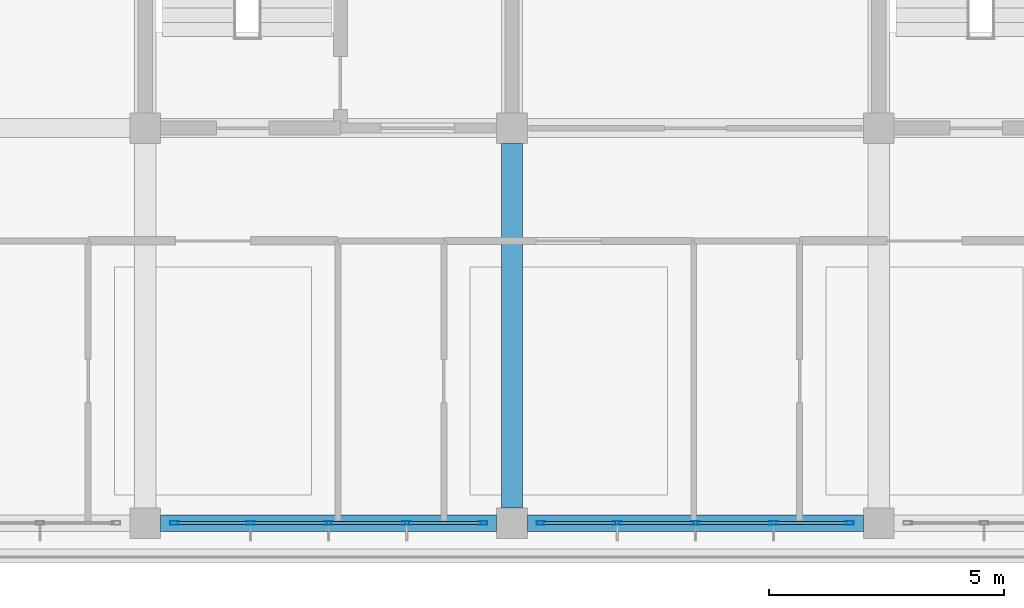
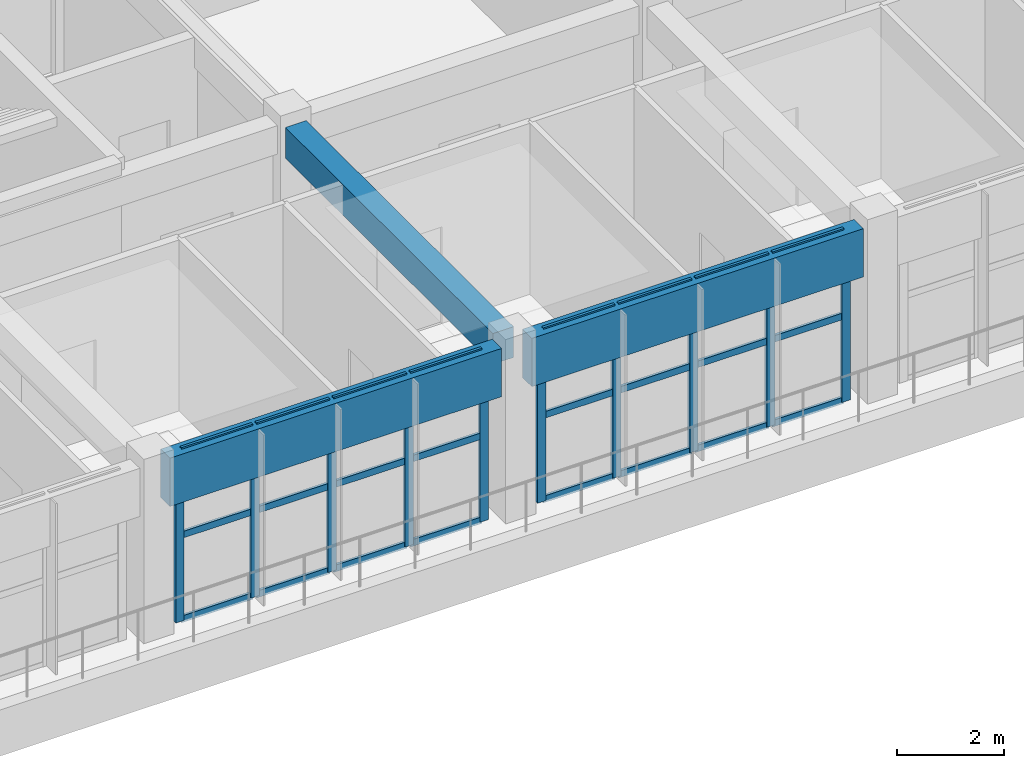
# One storey, part 12 of 63: 34 members, 3 beams, 2 elements without a shape of their own.
"""IFC4 building model written with IfcOpenShell, lengths in metres."""

from ifc_helpers import new_model, si_unit, direction, frame, origin, origin_2d, place, context, subcontext, project, spatial, rectangle, hollow_rectangle, extrude, material, layer, layer_set, material_profile, profile_set, type_object, element, aggregate, save


model = new_model("IFC4")

# Units and contexts
model_context = context("Model", 3, precision=1e-05, world=origin(), true_north=direction((0.0, 1.0)))
body_context = subcontext(model_context, "Body", "Model", "MODEL_VIEW")
ifc_project = project(units=[si_unit("LENGTHUNIT", "METRE"), si_unit("AREAUNIT", "SQUARE_METRE"), si_unit("VOLUMEUNIT", "CUBIC_METRE"), si_unit("PLANEANGLEUNIT", "RADIAN"), si_unit("MASSUNIT", "GRAM", prefix="KILO")], contexts=[model_context])

# Site, building, storey
site_placement = place(None, origin())
site = spatial("IfcSite", under=ifc_project, at=site_placement, CompositionType="ELEMENT")
building_placement = place(site_placement, origin())
building = spatial("IfcBuilding", under=site, at=building_placement, Name="Zizhar Promenade General Hospital", CompositionType="ELEMENT")
storey_placement = place(building_placement, frame((0.0, 0.0, 18.0)))
storey = spatial("IfcBuildingStorey", under=building, at=storey_placement, Name="L04", CompositionType="ELEMENT", Elevation=18.0)

# Beams
ifc_material_1 = material(Name="Precast concrete C40/50", Category="concrete")
ifc_material_profile_1 = material_profile(ifc_material_1, rectangle(XDim=0.35009765625, YDim=1.10009765625, at=origin_2d()))
ifc_profile_set_1 = profile_set([ifc_material_profile_1], Name="Precast concrete C40/50")
beam_type_1 = type_object("IfcBeamType", Name="BM-PC-BAND1100", PredefinedType="SPANDREL", material=ifc_profile_set_1)
for number, where, z_axis, x_axis, name in (
    (1, (47.125, 0.0, 3.360107421875), (1.0, 0.0, 0.0), (0.0, 1.0, 0.0), "Grid Beam X L04 (6-0)"),
    (2, (54.925048828125, 0.0, 3.360107421875), (1.0, 0.0, 0.0), (0.0, 1.0, 0.0), "Grid Beam X L04 (7-0)"),
):
    element("IfcBeam", number, at=place(storey_placement, frame(where, z_axis=z_axis, x_axis=x_axis)), inside=storey, type_object=beam_type_1, Name=name, PredefinedType="SPANDREL", context=body_context, shape_type="SweptSolid", body=[
        extrude(rectangle(XDim=0.35009765625, YDim=1.10009765625, at=origin_2d()), origin(), (0.0, 0.0, 1.0), 7.14990234375),
    ])
ifc_material_2 = material(Name="Concrete C35/45", Category="concrete")
ifc_material_profile_2 = material_profile(ifc_material_2, rectangle(XDim=0.449951171875, YDim=0.699951171875, at=origin_2d()))
ifc_profile_set_2 = profile_set([ifc_material_profile_2], Name="Concrete C35/45")
beam_type_2 = type_object("IfcBeamType", Name="BM-RC-450x700", PredefinedType="BEAM", material=ifc_profile_set_2)
beam_placement = place(storey_placement, frame((54.60009765625, 0.324951171875, 3.56005859375), z_axis=(0.0, 1.0, 0.0), x_axis=(-1.0, 0.0, 0.0)))
element("IfcBeam", 3, at=beam_placement, inside=storey, type_object=beam_type_2, Name="Grid Beam Y L04 (7-0)", PredefinedType="BEAM", context=body_context, shape_type="SweptSolid", body=[
    extrude(rectangle(XDim=0.449951171875, YDim=0.699951171875, at=origin_2d()), origin(), (0.0, 0.0, 1.0), 7.75),
])

# Curtain wall, members
ifc_material_3 = material(Name="Anodised aluminium 6063-T6 and low-E glass", Category="aluminium")
ifc_layer = layer(ifc_material_3, 0.159912109375)
ifc_layer_set = layer_set([ifc_layer], Name="Anodised aluminium 6063-T6 and low-E glass")
curtain_wall_type = type_object("IfcCurtainWallType", Name="CW-WARD-RIB", PredefinedType="NOTDEFINED", material=ifc_layer_set)
curtain_wall_1_placement = place(storey_placement, origin())
curtain_wall_1 = element("IfcCurtainWall", 4, at=curtain_wall_1_placement, inside=storey, type_object=curtain_wall_type, Name="Ward Ribbon Curtain Wall L04-17-7", PredefinedType="NOTDEFINED")
ifc_material_4 = material(Name="Anodised aluminium 6063-T6", Category="aluminium")
ifc_material_profile_3 = material_profile(ifc_material_4, hollow_rectangle(XDim=0.080078125, YDim=0.179931640625, WallThickness=0.0048828125, at=origin_2d()))
ifc_profile_set_3 = profile_set([ifc_material_profile_3], Name="Anodised aluminium 6063-T6")
member_type_1 = type_object("IfcMemberType", Name="CWM-ALU-180x80", PredefinedType="MULLION", material=ifc_profile_set_3)
member_1_placement = place(storey_placement, frame((61.780029296875, 0.0, 0.0), z_axis=(0.0, 0.0, 1.0), x_axis=(0.0, -1.0, 0.0)))
member_1 = element("IfcMember", 5, at=member_1_placement, type_object=member_type_1, Name="CW-13 mullion 1", PredefinedType="MULLION", context=body_context, shape_type="SweptSolid", body=[
    extrude(hollow_rectangle(XDim=0.080078125, YDim=0.179931640625, WallThickness=0.0048828125, at=origin_2d()), origin(), (0.0, 0.0, 1.0), 3.89990234375),
])
member_2_placement = place(storey_placement, frame((60.159912109375, 0.0, 0.0), z_axis=(0.0, 0.0, 1.0), x_axis=(0.0, -1.0, 0.0)))
member_2 = element("IfcMember", 6, at=member_2_placement, type_object=member_type_1, Name="CW-13 mullion 2", PredefinedType="MULLION", context=body_context, shape_type="SweptSolid", body=[
    extrude(hollow_rectangle(XDim=0.080078125, YDim=0.179931640625, WallThickness=0.0048828125, at=origin_2d()), origin(), (0.0, 0.0, 1.0), 3.89990234375),
])
member_3_placement = place(storey_placement, frame((58.5, 0.0, 0.0), z_axis=(0.0, 0.0, 1.0), x_axis=(0.0, -1.0, 0.0)))
member_3 = element("IfcMember", 7, at=member_3_placement, type_object=member_type_1, Name="CW-13 mullion 3", PredefinedType="MULLION", context=body_context, shape_type="SweptSolid", body=[
    extrude(hollow_rectangle(XDim=0.080078125, YDim=0.179931640625, WallThickness=0.0048828125, at=origin_2d()), origin(), (0.0, 0.0, 1.0), 3.89990234375),
])
member_4_placement = place(storey_placement, frame((56.840087890625, 0.0, 0.0), z_axis=(0.0, 0.0, 1.0), x_axis=(0.0, -1.0, 0.0)))
member_4 = element("IfcMember", 8, at=member_4_placement, type_object=member_type_1, Name="CW-13 mullion 4", PredefinedType="MULLION", context=body_context, shape_type="SweptSolid", body=[
    extrude(hollow_rectangle(XDim=0.080078125, YDim=0.179931640625, WallThickness=0.0048828125, at=origin_2d()), origin(), (0.0, 0.0, 1.0), 3.89990234375),
])
member_5_placement = place(storey_placement, frame((55.219970703125, 0.0, 0.0), z_axis=(0.0, 0.0, 1.0), x_axis=(0.0, -1.0, 0.0)))
member_5 = element("IfcMember", 9, at=member_5_placement, type_object=member_type_1, Name="CW-13 mullion 5", PredefinedType="MULLION", context=body_context, shape_type="SweptSolid", body=[
    extrude(hollow_rectangle(XDim=0.080078125, YDim=0.179931640625, WallThickness=0.0048828125, at=origin_2d()), origin(), (0.0, 0.0, 1.0), 3.89990234375),
])

curtain_wall_2_placement = place(storey_placement, origin())
curtain_wall_2 = element("IfcCurtainWall", 10, at=curtain_wall_2_placement, inside=storey, type_object=curtain_wall_type, Name="Ward Ribbon Curtain Wall L04-17-8", PredefinedType="NOTDEFINED")
member_6_placement = place(storey_placement, frame((53.97998046875, 0.0, 0.0), z_axis=(0.0, 0.0, 1.0), x_axis=(0.0, -1.0, 0.0)))
member_6 = element("IfcMember", 11, at=member_6_placement, type_object=member_type_1, Name="CW-13 mullion 1", PredefinedType="MULLION", context=body_context, shape_type="SweptSolid", body=[
    extrude(hollow_rectangle(XDim=0.080078125, YDim=0.179931640625, WallThickness=0.0048828125, at=origin_2d()), origin(), (0.0, 0.0, 1.0), 3.89990234375),
])
member_7_placement = place(storey_placement, frame((52.360107421875, 0.0, 0.0), z_axis=(0.0, 0.0, 1.0), x_axis=(0.0, -1.0, 0.0)))
member_7 = element("IfcMember", 12, at=member_7_placement, type_object=member_type_1, Name="CW-13 mullion 2", PredefinedType="MULLION", context=body_context, shape_type="SweptSolid", body=[
    extrude(hollow_rectangle(XDim=0.080078125, YDim=0.179931640625, WallThickness=0.0048828125, at=origin_2d()), origin(), (0.0, 0.0, 1.0), 3.89990234375),
])
member_8_placement = place(storey_placement, frame((50.699951171875, 0.0, 0.0), z_axis=(0.0, 0.0, 1.0), x_axis=(0.0, -1.0, 0.0)))
member_8 = element("IfcMember", 13, at=member_8_placement, type_object=member_type_1, Name="CW-13 mullion 3", PredefinedType="MULLION", context=body_context, shape_type="SweptSolid", body=[
    extrude(hollow_rectangle(XDim=0.080078125, YDim=0.179931640625, WallThickness=0.0048828125, at=origin_2d()), origin(), (0.0, 0.0, 1.0), 3.89990234375),
])
member_9_placement = place(storey_placement, frame((49.0400390625, 0.0, 0.0), z_axis=(0.0, 0.0, 1.0), x_axis=(0.0, -1.0, 0.0)))
member_9 = element("IfcMember", 14, at=member_9_placement, type_object=member_type_1, Name="CW-13 mullion 4", PredefinedType="MULLION", context=body_context, shape_type="SweptSolid", body=[
    extrude(hollow_rectangle(XDim=0.080078125, YDim=0.179931640625, WallThickness=0.0048828125, at=origin_2d()), origin(), (0.0, 0.0, 1.0), 3.89990234375),
])
member_10_placement = place(storey_placement, frame((47.419921875, 0.0, 0.0), z_axis=(0.0, 0.0, 1.0), x_axis=(0.0, -1.0, 0.0)))
member_10 = element("IfcMember", 15, at=member_10_placement, type_object=member_type_1, Name="CW-13 mullion 5", PredefinedType="MULLION", context=body_context, shape_type="SweptSolid", body=[
    extrude(hollow_rectangle(XDim=0.080078125, YDim=0.179931640625, WallThickness=0.0048828125, at=origin_2d()), origin(), (0.0, 0.0, 1.0), 3.89990234375),
])

# Member
ifc_material_5 = material(Name="Anodised aluminium 6063-T6", Category="aluminium")
ifc_material_profile_4 = material_profile(ifc_material_5, hollow_rectangle(XDim=0.06005859375, YDim=0.14990234375, WallThickness=0.00390625, at=origin_2d()))
ifc_profile_set_4 = profile_set([ifc_material_profile_4], Name="Anodised aluminium 6063-T6")
member_type_2 = type_object("IfcMemberType", Name="CWT-ALU-150x60", PredefinedType="USERDEFINED", material=ifc_profile_set_4)
member_11_placement = place(storey_placement, frame((61.739990234375, 0.0, 0.030029296875), z_axis=(-1.0, 0.0, 0.0), x_axis=(0.0, -1.0, 0.0)))
member_11 = element("IfcMember", 16, at=member_11_placement, type_object=member_type_2, Name="CW-13 transom 1.1", ObjectType="TRANSOM", PredefinedType="USERDEFINED", context=body_context, shape_type="SweptSolid", body=[
    extrude(hollow_rectangle(XDim=0.06005859375, YDim=0.14990234375, WallThickness=0.00390625, at=origin_2d()), origin(), (0.0, 0.0, 1.0), 1.5400390625),
])

member_12_placement = place(storey_placement, frame((61.739990234375, 0.0, 1.949951171875), z_axis=(-1.0, 0.0, 0.0), x_axis=(0.0, -1.0, 0.0)))
member_12 = element("IfcMember", 17, at=member_12_placement, type_object=member_type_2, Name="CW-13 transom 1.2", ObjectType="TRANSOM", PredefinedType="USERDEFINED", context=body_context, shape_type="SweptSolid", body=[
    extrude(hollow_rectangle(XDim=0.06005859375, YDim=0.14990234375, WallThickness=0.00390625, at=origin_2d()), origin(), (0.0, 0.0, 1.0), 1.5400390625),
])

member_13_placement = place(storey_placement, frame((61.739990234375, 0.0, 3.8701171875), z_axis=(-1.0, 0.0, 0.0), x_axis=(0.0, -1.0, 0.0)))
member_13 = element("IfcMember", 18, at=member_13_placement, type_object=member_type_2, Name="CW-13 transom 1.3", ObjectType="TRANSOM", PredefinedType="USERDEFINED", context=body_context, shape_type="SweptSolid", body=[
    extrude(hollow_rectangle(XDim=0.06005859375, YDim=0.14990234375, WallThickness=0.00390625, at=origin_2d()), origin(), (0.0, 0.0, 1.0), 1.5400390625),
])

member_14_placement = place(storey_placement, frame((60.1201171875, 0.0, 0.030029296875), z_axis=(-1.0, 0.0, 0.0), x_axis=(0.0, -1.0, 0.0)))
member_14 = element("IfcMember", 19, at=member_14_placement, type_object=member_type_2, Name="CW-13 transom 2.1", ObjectType="TRANSOM", PredefinedType="USERDEFINED", context=body_context, shape_type="SweptSolid", body=[
    extrude(hollow_rectangle(XDim=0.06005859375, YDim=0.14990234375, WallThickness=0.00390625, at=origin_2d()), origin(), (0.0, 0.0, 1.0), 1.580078125),
])

member_15_placement = place(storey_placement, frame((60.1201171875, 0.0, 1.949951171875), z_axis=(-1.0, 0.0, 0.0), x_axis=(0.0, -1.0, 0.0)))
member_15 = element("IfcMember", 20, at=member_15_placement, type_object=member_type_2, Name="CW-13 transom 2.2", ObjectType="TRANSOM", PredefinedType="USERDEFINED", context=body_context, shape_type="SweptSolid", body=[
    extrude(hollow_rectangle(XDim=0.06005859375, YDim=0.14990234375, WallThickness=0.00390625, at=origin_2d()), origin(), (0.0, 0.0, 1.0), 1.580078125),
])

member_16_placement = place(storey_placement, frame((60.1201171875, 0.0, 3.8701171875), z_axis=(-1.0, 0.0, 0.0), x_axis=(0.0, -1.0, 0.0)))
member_16 = element("IfcMember", 21, at=member_16_placement, type_object=member_type_2, Name="CW-13 transom 2.3", ObjectType="TRANSOM", PredefinedType="USERDEFINED", context=body_context, shape_type="SweptSolid", body=[
    extrude(hollow_rectangle(XDim=0.06005859375, YDim=0.14990234375, WallThickness=0.00390625, at=origin_2d()), origin(), (0.0, 0.0, 1.0), 1.580078125),
])

member_17_placement = place(storey_placement, frame((58.4599609375, 0.0, 0.030029296875), z_axis=(-1.0, 0.0, 0.0), x_axis=(0.0, -1.0, 0.0)))
member_17 = element("IfcMember", 22, at=member_17_placement, type_object=member_type_2, Name="CW-13 transom 3.1", ObjectType="TRANSOM", PredefinedType="USERDEFINED", context=body_context, shape_type="SweptSolid", body=[
    extrude(hollow_rectangle(XDim=0.06005859375, YDim=0.14990234375, WallThickness=0.00390625, at=origin_2d()), origin(), (0.0, 0.0, 1.0), 1.580078125),
])

member_18_placement = place(storey_placement, frame((58.4599609375, 0.0, 1.949951171875), z_axis=(-1.0, 0.0, 0.0), x_axis=(0.0, -1.0, 0.0)))
member_18 = element("IfcMember", 23, at=member_18_placement, type_object=member_type_2, Name="CW-13 transom 3.2", ObjectType="TRANSOM", PredefinedType="USERDEFINED", context=body_context, shape_type="SweptSolid", body=[
    extrude(hollow_rectangle(XDim=0.06005859375, YDim=0.14990234375, WallThickness=0.00390625, at=origin_2d()), origin(), (0.0, 0.0, 1.0), 1.580078125),
])

member_19_placement = place(storey_placement, frame((58.4599609375, 0.0, 3.8701171875), z_axis=(-1.0, 0.0, 0.0), x_axis=(0.0, -1.0, 0.0)))
member_19 = element("IfcMember", 24, at=member_19_placement, type_object=member_type_2, Name="CW-13 transom 3.3", ObjectType="TRANSOM", PredefinedType="USERDEFINED", context=body_context, shape_type="SweptSolid", body=[
    extrude(hollow_rectangle(XDim=0.06005859375, YDim=0.14990234375, WallThickness=0.00390625, at=origin_2d()), origin(), (0.0, 0.0, 1.0), 1.580078125),
])

member_20_placement = place(storey_placement, frame((56.800048828125, 0.0, 0.030029296875), z_axis=(-1.0, 0.0, 0.0), x_axis=(0.0, -1.0, 0.0)))
member_20 = element("IfcMember", 25, at=member_20_placement, type_object=member_type_2, Name="CW-13 transom 4.1", ObjectType="TRANSOM", PredefinedType="USERDEFINED", context=body_context, shape_type="SweptSolid", body=[
    extrude(hollow_rectangle(XDim=0.06005859375, YDim=0.14990234375, WallThickness=0.00390625, at=origin_2d()), origin(), (0.0, 0.0, 1.0), 1.5400390625),
])

member_21_placement = place(storey_placement, frame((56.800048828125, 0.0, 1.949951171875), z_axis=(-1.0, 0.0, 0.0), x_axis=(0.0, -1.0, 0.0)))
member_21 = element("IfcMember", 26, at=member_21_placement, type_object=member_type_2, Name="CW-13 transom 4.2", ObjectType="TRANSOM", PredefinedType="USERDEFINED", context=body_context, shape_type="SweptSolid", body=[
    extrude(hollow_rectangle(XDim=0.06005859375, YDim=0.14990234375, WallThickness=0.00390625, at=origin_2d()), origin(), (0.0, 0.0, 1.0), 1.5400390625),
])

member_22_placement = place(storey_placement, frame((56.800048828125, 0.0, 3.8701171875), z_axis=(-1.0, 0.0, 0.0), x_axis=(0.0, -1.0, 0.0)))
member_22 = element("IfcMember", 27, at=member_22_placement, type_object=member_type_2, Name="CW-13 transom 4.3", ObjectType="TRANSOM", PredefinedType="USERDEFINED", context=body_context, shape_type="SweptSolid", body=[
    extrude(hollow_rectangle(XDim=0.06005859375, YDim=0.14990234375, WallThickness=0.00390625, at=origin_2d()), origin(), (0.0, 0.0, 1.0), 1.5400390625),
])

aggregate(curtain_wall_1, [member_1, member_2, member_3, member_4, member_5, member_11, member_12, member_13, member_14, member_15, member_16, member_17, member_18, member_19, member_20, member_21, member_22])

member_23_placement = place(storey_placement, frame((53.93994140625, 0.0, 0.030029296875), z_axis=(-1.0, 0.0, 0.0), x_axis=(0.0, -1.0, 0.0)))
member_23 = element("IfcMember", 28, at=member_23_placement, type_object=member_type_2, Name="CW-13 transom 1.1", ObjectType="TRANSOM", PredefinedType="USERDEFINED", context=body_context, shape_type="SweptSolid", body=[
    extrude(hollow_rectangle(XDim=0.06005859375, YDim=0.14990234375, WallThickness=0.00390625, at=origin_2d()), origin(), (0.0, 0.0, 1.0), 1.5400390625),
])

member_24_placement = place(storey_placement, frame((53.93994140625, 0.0, 1.949951171875), z_axis=(-1.0, 0.0, 0.0), x_axis=(0.0, -1.0, 0.0)))
member_24 = element("IfcMember", 29, at=member_24_placement, type_object=member_type_2, Name="CW-13 transom 1.2", ObjectType="TRANSOM", PredefinedType="USERDEFINED", context=body_context, shape_type="SweptSolid", body=[
    extrude(hollow_rectangle(XDim=0.06005859375, YDim=0.14990234375, WallThickness=0.00390625, at=origin_2d()), origin(), (0.0, 0.0, 1.0), 1.5400390625),
])

member_25_placement = place(storey_placement, frame((53.93994140625, 0.0, 3.8701171875), z_axis=(-1.0, 0.0, 0.0), x_axis=(0.0, -1.0, 0.0)))
member_25 = element("IfcMember", 30, at=member_25_placement, type_object=member_type_2, Name="CW-13 transom 1.3", ObjectType="TRANSOM", PredefinedType="USERDEFINED", context=body_context, shape_type="SweptSolid", body=[
    extrude(hollow_rectangle(XDim=0.06005859375, YDim=0.14990234375, WallThickness=0.00390625, at=origin_2d()), origin(), (0.0, 0.0, 1.0), 1.5400390625),
])

member_26_placement = place(storey_placement, frame((52.320068359375, 0.0, 0.030029296875), z_axis=(-1.0, 0.0, 0.0), x_axis=(0.0, -1.0, 0.0)))
member_26 = element("IfcMember", 31, at=member_26_placement, type_object=member_type_2, Name="CW-13 transom 2.1", ObjectType="TRANSOM", PredefinedType="USERDEFINED", context=body_context, shape_type="SweptSolid", body=[
    extrude(hollow_rectangle(XDim=0.06005859375, YDim=0.14990234375, WallThickness=0.00390625, at=origin_2d()), origin(), (0.0, 0.0, 1.0), 1.580078125),
])

member_27_placement = place(storey_placement, frame((52.320068359375, 0.0, 1.949951171875), z_axis=(-1.0, 0.0, 0.0), x_axis=(0.0, -1.0, 0.0)))
member_27 = element("IfcMember", 32, at=member_27_placement, type_object=member_type_2, Name="CW-13 transom 2.2", ObjectType="TRANSOM", PredefinedType="USERDEFINED", context=body_context, shape_type="SweptSolid", body=[
    extrude(hollow_rectangle(XDim=0.06005859375, YDim=0.14990234375, WallThickness=0.00390625, at=origin_2d()), origin(), (0.0, 0.0, 1.0), 1.580078125),
])

member_28_placement = place(storey_placement, frame((52.320068359375, 0.0, 3.8701171875), z_axis=(-1.0, 0.0, 0.0), x_axis=(0.0, -1.0, 0.0)))
member_28 = element("IfcMember", 33, at=member_28_placement, type_object=member_type_2, Name="CW-13 transom 2.3", ObjectType="TRANSOM", PredefinedType="USERDEFINED", context=body_context, shape_type="SweptSolid", body=[
    extrude(hollow_rectangle(XDim=0.06005859375, YDim=0.14990234375, WallThickness=0.00390625, at=origin_2d()), origin(), (0.0, 0.0, 1.0), 1.580078125),
])

member_29_placement = place(storey_placement, frame((50.659912109375, 0.0, 0.030029296875), z_axis=(-1.0, 0.0, 0.0), x_axis=(0.0, -1.0, 0.0)))
member_29 = element("IfcMember", 34, at=member_29_placement, type_object=member_type_2, Name="CW-13 transom 3.1", ObjectType="TRANSOM", PredefinedType="USERDEFINED", context=body_context, shape_type="SweptSolid", body=[
    extrude(hollow_rectangle(XDim=0.06005859375, YDim=0.14990234375, WallThickness=0.00390625, at=origin_2d()), origin(), (0.0, 0.0, 1.0), 1.579833984375),
])

member_30_placement = place(storey_placement, frame((50.659912109375, 0.0, 1.949951171875), z_axis=(-1.0, 0.0, 0.0), x_axis=(0.0, -1.0, 0.0)))
member_30 = element("IfcMember", 35, at=member_30_placement, type_object=member_type_2, Name="CW-13 transom 3.2", ObjectType="TRANSOM", PredefinedType="USERDEFINED", context=body_context, shape_type="SweptSolid", body=[
    extrude(hollow_rectangle(XDim=0.06005859375, YDim=0.14990234375, WallThickness=0.00390625, at=origin_2d()), origin(), (0.0, 0.0, 1.0), 1.579833984375),
])

member_31_placement = place(storey_placement, frame((50.659912109375, 0.0, 3.8701171875), z_axis=(-1.0, 0.0, 0.0), x_axis=(0.0, -1.0, 0.0)))
member_31 = element("IfcMember", 36, at=member_31_placement, type_object=member_type_2, Name="CW-13 transom 3.3", ObjectType="TRANSOM", PredefinedType="USERDEFINED", context=body_context, shape_type="SweptSolid", body=[
    extrude(hollow_rectangle(XDim=0.06005859375, YDim=0.14990234375, WallThickness=0.00390625, at=origin_2d()), origin(), (0.0, 0.0, 1.0), 1.579833984375),
])

member_32_placement = place(storey_placement, frame((49.0, 0.0, 0.030029296875), z_axis=(-1.0, 0.0, 0.0), x_axis=(0.0, -1.0, 0.0)))
member_32 = element("IfcMember", 37, at=member_32_placement, type_object=member_type_2, Name="CW-13 transom 4.1", ObjectType="TRANSOM", PredefinedType="USERDEFINED", context=body_context, shape_type="SweptSolid", body=[
    extrude(hollow_rectangle(XDim=0.06005859375, YDim=0.14990234375, WallThickness=0.00390625, at=origin_2d()), origin(), (0.0, 0.0, 1.0), 1.5400390625),
])

member_33_placement = place(storey_placement, frame((49.0, 0.0, 1.949951171875), z_axis=(-1.0, 0.0, 0.0), x_axis=(0.0, -1.0, 0.0)))
member_33 = element("IfcMember", 38, at=member_33_placement, type_object=member_type_2, Name="CW-13 transom 4.2", ObjectType="TRANSOM", PredefinedType="USERDEFINED", context=body_context, shape_type="SweptSolid", body=[
    extrude(hollow_rectangle(XDim=0.06005859375, YDim=0.14990234375, WallThickness=0.00390625, at=origin_2d()), origin(), (0.0, 0.0, 1.0), 1.5400390625),
])

member_34_placement = place(storey_placement, frame((49.0, 0.0, 3.8701171875), z_axis=(-1.0, 0.0, 0.0), x_axis=(0.0, -1.0, 0.0)))
member_34 = element("IfcMember", 39, at=member_34_placement, type_object=member_type_2, Name="CW-13 transom 4.3", ObjectType="TRANSOM", PredefinedType="USERDEFINED", context=body_context, shape_type="SweptSolid", body=[
    extrude(hollow_rectangle(XDim=0.06005859375, YDim=0.14990234375, WallThickness=0.00390625, at=origin_2d()), origin(), (0.0, 0.0, 1.0), 1.5400390625),
])

aggregate(curtain_wall_2, [member_6, member_7, member_8, member_9, member_10, member_23, member_24, member_25, member_26, member_27, member_28, member_29, member_30, member_31, member_32, member_33, member_34])

save(model, "model.ifc")
